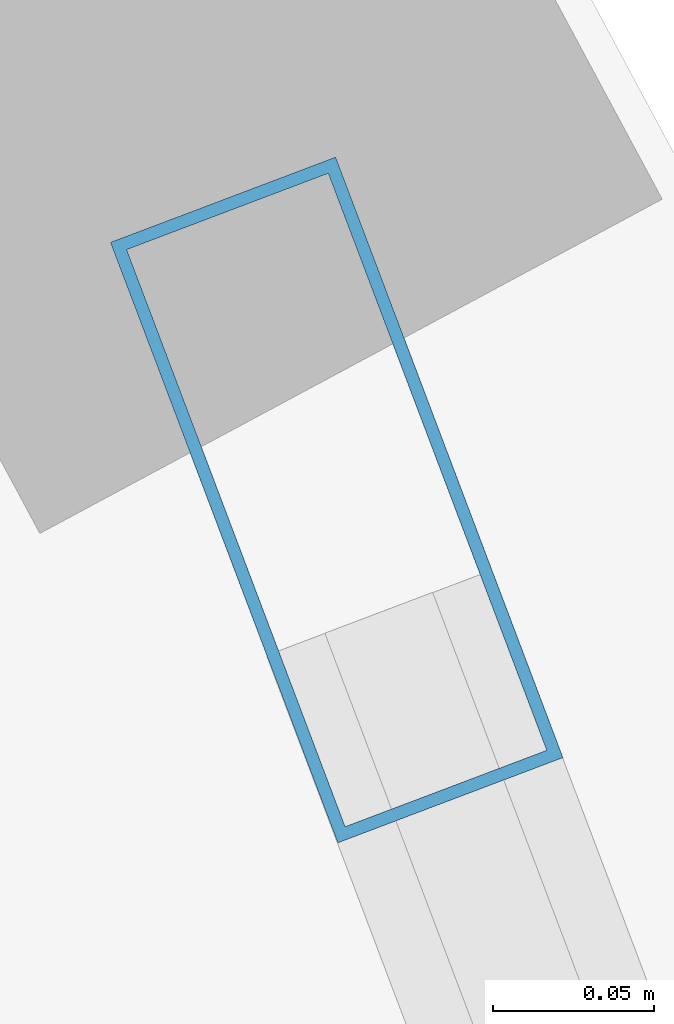
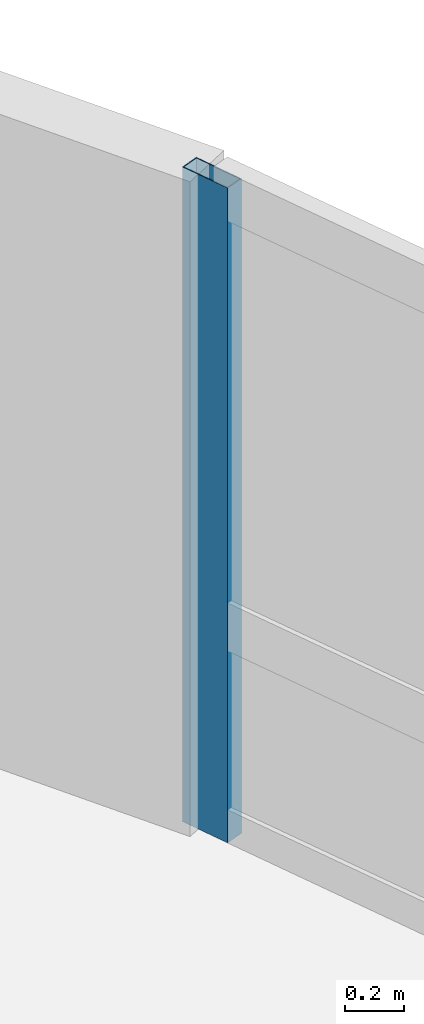
# One storey, part 12 of 24: 1 member, 1 element without a shape of its own.
"""IFC4 building model written with IfcOpenShell, lengths in metres."""

import ifcopenshell
import ifcopenshell.guid

model = None  # the IFC model being written
_history = None  # IfcOwnerHistory: only IFC2X3 demands one
_inside = {}  # id of a spatial element -> (the spatial element, [elements in it])
_under = {}  # id of a project, library or spatial element -> (it, [spatial elements below it])
_declared = {}  # id of a project -> (the project, [libraries it declares])
_typed = {}  # id of a type object -> (the type object, [elements of that type])
_made_of = {}  # id of a material, layer set ... -> (it, [elements and type objects made of it])


def new_model(schema):
    """Start an empty IFC model of exactly this schema.

    Asked for "IFC4X3", IfcOpenShell would pick the latest addendum, in which some entities
    have other attributes; the version numbers below select the first issue.
    IFC2X3 requires an IfcOwnerHistory on every rooted entity: one is made here for all.
    """
    global model, _history
    if schema == "IFC4X3":
        model = ifcopenshell.file(schema_version=(4, 3, 0, 0))
    else:
        model = ifcopenshell.file(schema=schema)
    _inside.clear()
    _under.clear()
    _declared.clear()
    _typed.clear()
    _made_of.clear()
    _history = None
    if model.schema == "IFC2X3":
        org = make("IfcOrganization", Name="unknown")
        user = make(
            "IfcPersonAndOrganization",
            ThePerson=make("IfcPerson", FamilyName="unknown"),
            TheOrganization=org,
        )
        app = make(
            "IfcApplication",
            ApplicationDeveloper=org,
            Version="unknown",
            ApplicationFullName="unknown",
            ApplicationIdentifier="unknown",
        )
        _history = make(
            "IfcOwnerHistory",
            OwningUser=user,
            OwningApplication=app,
            ChangeAction="ADDED",
            CreationDate=0,
        )
    return model


def make(cls, **values):
    """One entity of the class cls with the attributes given. An attribute that is None is left unset."""
    return model.create_entity(
        cls, **{name: value for name, value in values.items() if value is not None}
    )


def rooted(cls, **values):
    """An entity with a GlobalId (a new one), such as an element, a storey or a relation."""
    return make(cls, GlobalId=ifcopenshell.guid.new(), OwnerHistory=_history, **values)


def si_unit(unit_type, name, prefix=None):
    """IfcSIUnit, for example si_unit("LENGTHUNIT", "METRE", prefix="MILLI")."""
    return make("IfcSIUnit", UnitType=unit_type, Prefix=prefix, Name=name)


def assignment(units):
    """IfcUnitAssignment: the units of a project."""
    return None if units is None else make("IfcUnitAssignment", Units=units)


def point(xyz):
    """IfcCartesianPoint."""
    return None if xyz is None else make("IfcCartesianPoint", Coordinates=xyz)


def direction(xyz):
    """IfcDirection."""
    return None if xyz is None else make("IfcDirection", DirectionRatios=xyz)


def frame(location, z_axis=None, x_axis=None):
    """IfcAxis2Placement3D, a coordinate frame: its origin and axes. An axis left out is left unset."""
    return make(
        "IfcAxis2Placement3D",
        Location=point(location),
        Axis=direction(z_axis),
        RefDirection=direction(x_axis),
    )


def frame_2d(location, x_axis=None):
    """IfcAxis2Placement2D, a coordinate frame in the plane: its origin and x axis."""
    return make(
        "IfcAxis2Placement2D", Location=point(location), RefDirection=direction(x_axis)
    )


def origin():
    """The frame at (0, 0, 0) with its axes left unset."""
    return frame((0.0, 0.0, 0.0))


def origin_2d():
    """The frame at (0, 0) in the plane with its x axis left unset."""
    return frame_2d((0.0, 0.0))


def place(relative_to, where):
    """IfcLocalPlacement: puts the frame where relative to a parent placement (None: the world)."""
    return make(
        "IfcLocalPlacement", PlacementRelTo=relative_to, RelativePlacement=where
    )


def context(
    kind, dimensions, precision=None, world=None, true_north=None, identifier=None
):
    """IfcGeometricRepresentationContext, for example the 3D "Model" context."""
    return make(
        "IfcGeometricRepresentationContext",
        ContextIdentifier=identifier,
        ContextType=kind,
        CoordinateSpaceDimension=dimensions,
        Precision=precision,
        WorldCoordinateSystem=world,
        TrueNorth=true_north,
    )


def subcontext(parent, identifier, kind, view, scale=None):
    """IfcGeometricRepresentationSubContext, for example "Body" below "Model"."""
    return make(
        "IfcGeometricRepresentationSubContext",
        ContextIdentifier=identifier,
        ContextType=kind,
        ParentContext=parent,
        TargetScale=scale,
        TargetView=view,
    )


def project(units=None, contexts=None):
    """IfcProject with its units and contexts."""
    return rooted(
        "IfcProject",
        Name="project",
        RepresentationContexts=contexts,
        UnitsInContext=assignment(units),
    )


def spatial(cls, under=None, at=None, **own):
    """A site, building, storey or space (cls), placed at a placement, below another one or the project."""
    s = rooted(cls, ObjectPlacement=at, **own)
    if under is not None:
        _under.setdefault(under.id(), (under, []))[1].append(s)
    return s


def profile(cls, at=None, kind="AREA", **sizes):
    """A parametric profile (cls). Its sizes go by their IFC names, for example OverallWidth=200.0."""
    return make(cls, ProfileType=kind, Position=at, **sizes)


def hollow_rectangle(**sizes):
    """IfcRectangleHollowProfileDef."""
    return profile("IfcRectangleHollowProfileDef", **sizes)


def extrude(swept, where, along, depth):
    """IfcExtrudedAreaSolid: the profile swept, set in the frame where, extruded along a direction by depth."""
    return make(
        "IfcExtrudedAreaSolid",
        SweptArea=swept,
        Position=where,
        ExtrudedDirection=direction(along),
        Depth=depth,
    )


def shape(context_of_items, identifier, shape_type, items):
    """IfcShapeRepresentation: the items that make up one representation, for example the "Body"."""
    return make(
        "IfcShapeRepresentation",
        ContextOfItems=context_of_items,
        RepresentationIdentifier=identifier,
        RepresentationType=shape_type,
        Items=items,
    )


def material(Name=None, Category=None):
    """IfcMaterial."""
    return make("IfcMaterial", Name=Name, Category=Category)


def layer(
    of_material, thickness, ventilated=None, Name=None, Category=None, Priority=None
):
    """IfcMaterialLayer: one layer of a wall or slab, of a material (None: an air gap)."""
    return make(
        "IfcMaterialLayer",
        Material=of_material,
        LayerThickness=thickness,
        IsVentilated=ventilated,
        Name=Name,
        Category=Category,
        Priority=Priority,
    )


def layer_set(layers, Name=None):
    """IfcMaterialLayerSet."""
    return make("IfcMaterialLayerSet", MaterialLayers=layers, LayerSetName=Name)


def material_profile(
    of_material, cross_section, Name=None, Category=None, Priority=None
):
    """IfcMaterialProfile: a cross section and its material."""
    return make(
        "IfcMaterialProfile",
        Name=Name,
        Material=of_material,
        Profile=cross_section,
        Priority=Priority,
        Category=Category,
    )


def profile_set(profiles, Name=None, composite=None):
    """IfcMaterialProfileSet."""
    return make(
        "IfcMaterialProfileSet",
        Name=Name,
        MaterialProfiles=profiles,
        CompositeProfile=composite,
    )


def made_of(thing, what):
    """Note that an element or type object is made of a material, layer set ...; save() writes the relation."""
    if what is not None:
        _made_of.setdefault(what.id(), (what, []))[1].append(thing)
    return thing


def type_object(cls, material=None, **own):
    """A type object (cls), such as IfcWallType, which elements share."""
    return made_of(rooted(cls, **own), material)


def element(
    cls,
    number,
    at=None,
    inside=None,
    cuts=None,
    type_object=None,
    material=None,
    context=None,
    identifier="Body",
    shape_type=None,
    held_by="IfcProductDefinitionShape",
    body=None,
    shapes=None,
    **own,
):
    """One element of the class cls, such as IfcWall. Its Tag is "e" and its number.

    at: its placement. inside: the storey or other place that contains it. cuts: it is an
    opening in that element (IfcRelVoidsElement). A single representation is given by context,
    identifier, shape_type and body (its items); several are given by shapes. held_by: the class
    of the entity that holds the representations. save() writes the other relations.
    """
    e = rooted(cls, Tag="e%d" % number, ObjectPlacement=at, **own)
    if body is not None:
        shapes = [shape(context, identifier, shape_type, body)]
    if shapes is not None:
        e.Representation = make(held_by, Representations=shapes)
    if inside is not None:
        _inside.setdefault(inside.id(), (inside, []))[1].append(e)
    if cuts is not None:
        rooted(
            "IfcRelVoidsElement", RelatingBuildingElement=cuts, RelatedOpeningElement=e
        )
    if type_object is not None:
        _typed.setdefault(type_object.id(), (type_object, []))[1].append(e)
    return made_of(e, material)


def aggregate(whole, parts):
    """IfcRelAggregates: a whole, such as a stair, and the parts it consists of."""
    return rooted("IfcRelAggregates", RelatingObject=whole, RelatedObjects=parts)


def save(model, path):
    """Write the relations noted so far, then the file.

    IfcRelAggregates (storeys below a building ...), IfcRelContainedInSpatialStructure (elements
    in a storey), IfcRelDefinesByType, IfcRelAssociatesMaterial and IfcRelDeclares: one each for
    every whole, place, type object, material and project.
    """
    for whole, parts in _under.values():
        aggregate(whole, parts)
    for where, things in _inside.values():
        rooted(
            "IfcRelContainedInSpatialStructure",
            RelatedElements=things,
            RelatingStructure=where,
        )
    for kind, things in _typed.values():
        rooted("IfcRelDefinesByType", RelatedObjects=things, RelatingType=kind)
    for what, things in _made_of.values():
        rooted("IfcRelAssociatesMaterial", RelatedObjects=things, RelatingMaterial=what)
    for by, libraries in _declared.values():
        rooted("IfcRelDeclares", RelatingContext=by, RelatedDefinitions=libraries)
    model.write(path)


model = new_model("IFC4")

# Units and contexts
model_context = context("Model", 3, precision=1e-05, world=origin(), true_north=direction((0.0, 1.0)))
body_context = subcontext(model_context, "Body", "Model", "MODEL_VIEW")
ifc_project = project(units=[si_unit("LENGTHUNIT", "METRE"), si_unit("AREAUNIT", "SQUARE_METRE"), si_unit("VOLUMEUNIT", "CUBIC_METRE"), si_unit("PLANEANGLEUNIT", "RADIAN"), si_unit("MASSUNIT", "GRAM", prefix="KILO")], contexts=[model_context])

# Site, building, storey
site_placement = place(None, origin())
site = spatial("IfcSite", under=ifc_project, at=site_placement, CompositionType="ELEMENT")
building_placement = place(site_placement, origin())
building = spatial("IfcBuilding", under=site, at=building_placement, Name="Varnelok Gate Tower", CompositionType="ELEMENT")
storey_placement = place(building_placement, frame((0.0, 0.0, 242.300048828125)))
storey = spatial("IfcBuildingStorey", under=building, at=storey_placement, Name="L62", CompositionType="ELEMENT", Elevation=242.300048828125)

# Curtain wall, member
ifc_material = material(Name="Anodized Aluminum Alloy 6063-T6", Category="aluminium")
ifc_layer = layer(ifc_material, 0.179931640625)
ifc_layer_set = layer_set([ifc_layer], Name="Anodized Aluminum Alloy 6063-T6")
curtain_wall_type = type_object("IfcCurtainWallType", Name="CW4-RESIDENCE-VISION", PredefinedType="USERDEFINED", material=ifc_layer_set)
curtain_wall_placement = place(storey_placement, origin())
curtain_wall = element("IfcCurtainWall", 1, at=curtain_wall_placement, inside=storey, type_object=curtain_wall_type, Name="L62 East End Vision Curtain Wall", ObjectType="UNITISED CURTAIN WALL", PredefinedType="USERDEFINED")
ifc_material_profile = material_profile(ifc_material, hollow_rectangle(XDim=0.074951171875, YDim=0.199951171875, WallThickness=0.00390625, at=origin_2d()), Name="ALU200X75X4")
ifc_profile_set = profile_set([ifc_material_profile], Name="Anodized Aluminum Alloy 6063-T6")
member_type = type_object("IfcMemberType", Name="CW-MULL-200", PredefinedType="MULLION", material=ifc_profile_set)
member_placement = place(storey_placement, frame((64.514892578125, 51.5244140625, 0.0), z_axis=(0.0, 0.0, 1.0), x_axis=(0.935221557832, 0.354063042079, 0.0)))
member = element("IfcMember", 2, at=member_placement, type_object=member_type, Name="CW4 mullion 1", PredefinedType="MULLION", context=body_context, shape_type="SweptSolid", body=[
    extrude(hollow_rectangle(XDim=0.074951171875, YDim=0.199951171875, WallThickness=0.00390625, at=origin_2d()), origin(), (0.0, 0.0, 1.0), 2.72998046875),
])
aggregate(curtain_wall, [member])

save(model, "model.ifc")
